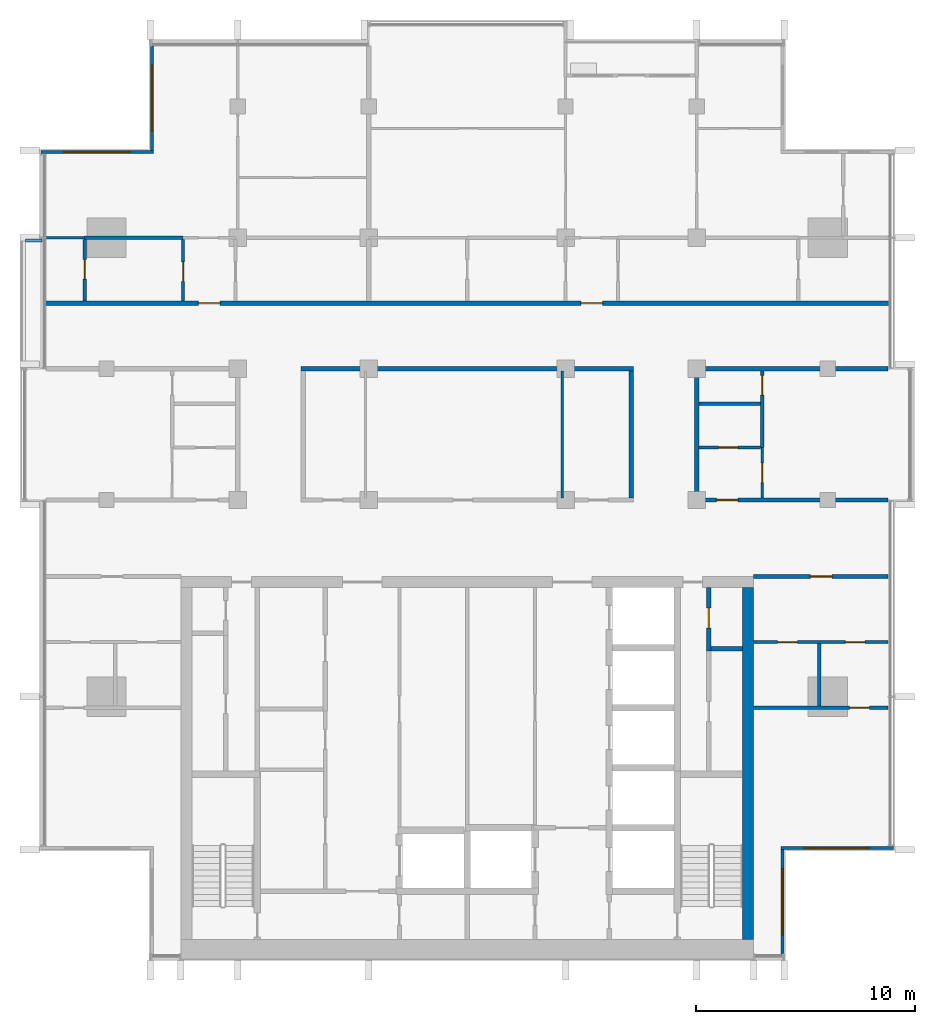
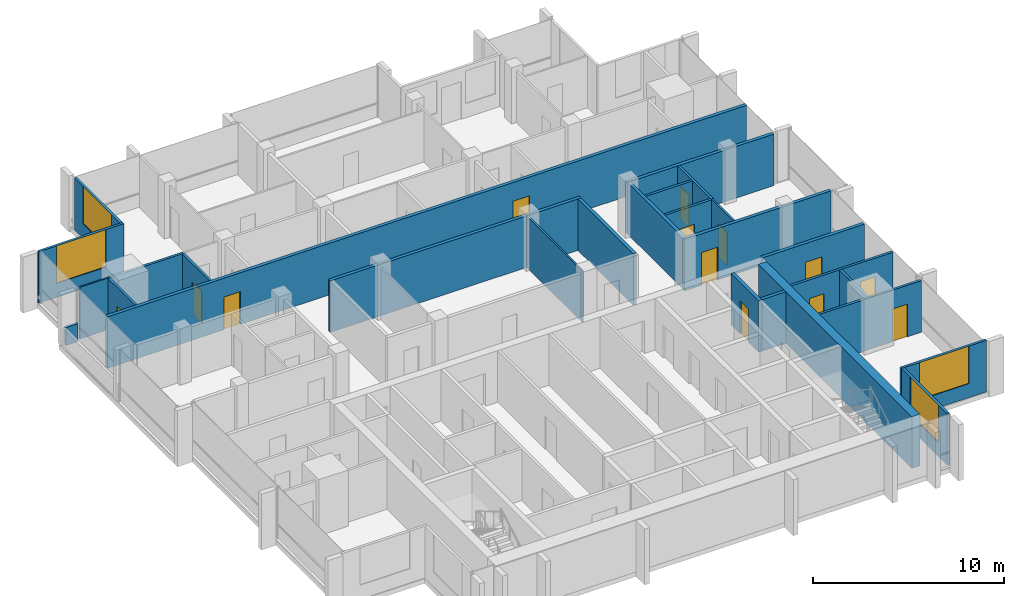
# One storey, part 9 of 16: 27 walls, 13 doors, 4 windows, 17 openings.
"""IFC4 building model written with IfcOpenShell, lengths in metres."""

from ifc_helpers import new_model, si_unit, direction, frame, frame_2d, origin, place, context, subcontext, project, spatial, rectangle, extrude, material, layer, layer_set, type_object, element, fill, save


model = new_model("IFC4")

# Units and contexts
model_context = context("Model", 3, precision=1e-05, world=origin(), true_north=direction((0.0, 1.0)))
body_context = subcontext(model_context, "Body", "Model", "MODEL_VIEW")
ifc_project = project(units=[si_unit("LENGTHUNIT", "METRE"), si_unit("AREAUNIT", "SQUARE_METRE"), si_unit("VOLUMEUNIT", "CUBIC_METRE"), si_unit("PLANEANGLEUNIT", "RADIAN"), si_unit("MASSUNIT", "GRAM", prefix="KILO")], contexts=[model_context])

# Site, building, storey
site_placement = place(None, origin())
site = spatial("IfcSite", under=ifc_project, at=site_placement, CompositionType="ELEMENT")
building_placement = place(site_placement, origin())
building = spatial("IfcBuilding", under=site, at=building_placement, Name="Finial Court Residences", CompositionType="ELEMENT")
storey_placement = place(building_placement, frame((0.0, 0.0, 284.300048828125)))
storey = spatial("IfcBuildingStorey", under=building, at=storey_placement, Name="L72", CompositionType="ELEMENT", Elevation=284.300048828125)

# Wall
ifc_material_1 = material(Name="Concrete C50/60", Category="concrete")
ifc_layer_1 = layer(ifc_material_1, 0.5)
ifc_layer_set_1 = layer_set([ifc_layer_1], Name="Core outer wall 500 Concrete C50/60")
wall_type_1 = type_object("IfcWallType", Name="Core outer wall 500 Concrete C50/60", PredefinedType="SHEAR", material=ifc_layer_set_1)
wall_1_placement = place(storey_placement, frame((12.85009765625, -24.60009765625, 0.0), z_axis=(0.0, 0.0, 1.0), x_axis=(0.0, 1.0, 0.0)))
element("IfcWall", 1, at=wall_1_placement, inside=storey, type_object=wall_type_1, Name="Core outer wall L72-04", PredefinedType="SHEAR", context=body_context, shape_type="SweptSolid", body=[
    extrude(rectangle(XDim=16.10009765625, YDim=0.5, at=frame_2d((8.050048828125, 0.0))), origin(), (0.0, 0.0, 1.0), 3.300048828125),
])

# Wall, opening, door
ifc_material_2 = material(Name="Gypsum board")
ifc_layer_2 = layer(ifc_material_2, 0.02490234375)
ifc_material_3 = material(Name="Acoustic mineral wool in double frame")
ifc_layer_3 = layer(ifc_material_3, 0.14990234375)
ifc_layer_4 = layer(ifc_material_2, 0.02490234375)
ifc_layer_set_2 = layer_set([ifc_layer_2, ifc_layer_3, ifc_layer_4], Name="Corridor wall 200, 1 hour")
wall_type_2 = type_object("IfcWallType", Name="Corridor wall 200, 1 hour", PredefinedType="PARTITIONING", material=ifc_layer_set_2)
wall_2_placement = place(storey_placement, frame((13.10009765625, -8.0, 0.0), z_axis=(0.0, 0.0, 1.0), x_axis=(1.0, 0.0, 0.0)))
wall_2 = element("IfcWall", 2, at=wall_2_placement, inside=storey, type_object=wall_type_2, Name="Partition L72-005", PredefinedType="PARTITIONING", context=body_context, shape_type="SweptSolid", body=[
    extrude(rectangle(XDim=6.162353515625, YDim=0.199951171875, at=frame_2d((3.0810546875, 0.0))), origin(), (0.0, 0.0, 1.0), 3.300048828125),
])
opening_1_placement = place(wall_2_placement, frame((2.60009765625, 0.0, 0.0)))
opening_1 = element("IfcOpeningElement", 3, at=opening_1_placement, cuts=wall_2, Name="Opening L72-D008", PredefinedType="OPENING", context=body_context, shape_type="SweptSolid", body=[
    extrude(rectangle(XDim=1.0, YDim=2.10009765625, at=frame_2d((0.5, 1.050048828125))), frame((0.0, 0.10986328125, 0.0), z_axis=(0.0, -1.0, 0.0), x_axis=(1.0, 0.0, 0.0)), (0.0, 0.0, 1.0), 0.219970703125),
])
ifc_material_4 = material(Name="Timber door leaf in hollow metal frame", Category="wood")
door_type_1 = type_object("IfcDoorType", Name="Fire door set 1000 x 2100, 30 minutes", OperationType="SINGLE_SWING_LEFT", PredefinedType="DOOR", material=ifc_material_4)
door_1_placement = place(opening_1_placement, origin())
door_1 = element("IfcDoor", 4, at=door_1_placement, inside=storey, type_object=door_type_1, Name="Door L72-D008", OperationType="SINGLE_SWING_LEFT", OverallHeight=2.10009765625, OverallWidth=1.0, PredefinedType="DOOR", context=body_context, shape_type="SweptSolid", body=[
    extrude(rectangle(XDim=1.0, YDim=2.10009765625, at=frame_2d((0.5, 1.050048828125))), frame((0.0, 0.02490234375, 0.0), z_axis=(0.0, -1.0, 0.0), x_axis=(1.0, 0.0, 0.0)), (0.0, 0.0, 1.0), 0.050048828125),
])
fill(opening_1, door_1)

wall_3_placement = place(storey_placement, frame((10.39990234375, -4.5, 0.0), z_axis=(0.0, 0.0, 1.0), x_axis=(1.0, 0.0, 0.0)))
wall_3 = element("IfcWall", 5, at=wall_3_placement, inside=storey, type_object=wall_type_2, Name="Partition L72-008", PredefinedType="PARTITIONING", context=body_context, shape_type="SweptSolid", body=[
    extrude(rectangle(XDim=8.862548828125, YDim=0.199951171875, at=frame_2d((4.43115234375, 0.0))), origin(), (0.0, 0.0, 1.0), 3.300048828125),
])
opening_2_placement = place(wall_3_placement, frame((1.0, 0.0, 0.0)))
opening_2 = element("IfcOpeningElement", 6, at=opening_2_placement, cuts=wall_3, Name="Opening L72-D013", PredefinedType="OPENING", context=body_context, shape_type="SweptSolid", body=[
    extrude(rectangle(XDim=1.0, YDim=2.10009765625, at=frame_2d((0.5, 1.050048828125))), frame((0.0, 0.10986328125, 0.0), z_axis=(0.0, -1.0, 0.0), x_axis=(1.0, 0.0, 0.0)), (0.0, 0.0, 1.0), 0.219970703125),
])
door_2_placement = place(opening_2_placement, origin())
door_2 = element("IfcDoor", 7, at=door_2_placement, inside=storey, type_object=door_type_1, Name="Door L72-D013", OperationType="SINGLE_SWING_RIGHT", OverallHeight=2.10009765625, OverallWidth=1.0, PredefinedType="DOOR", context=body_context, shape_type="SweptSolid", body=[
    extrude(rectangle(XDim=1.0, YDim=2.10009765625, at=frame_2d((0.5, 1.050048828125))), frame((0.0, 0.02490234375, 0.0), z_axis=(0.0, -1.0, 0.0), x_axis=(1.0, 0.0, 0.0)), (0.0, 0.0, 1.0), 0.050048828125),
])
fill(opening_2, door_2)

# Walls
wall_4_placement = place(storey_placement, frame((-7.60009765625, 1.5, 0.0), z_axis=(0.0, 0.0, 1.0), x_axis=(1.0, 0.0, 0.0)))
element("IfcWall", 8, at=wall_4_placement, inside=storey, type_object=wall_type_2, Name="Partition L72-014", PredefinedType="PARTITIONING", context=body_context, shape_type="SweptSolid", body=[
    extrude(rectangle(XDim=15.2001953125, YDim=0.199951171875, at=frame_2d((7.60009765625, 0.0))), origin(), (0.0, 0.0, 1.0), 3.300048828125),
])
wall_5_placement = place(storey_placement, frame((10.39990234375, 1.5, 0.0), z_axis=(0.0, 0.0, 1.0), x_axis=(1.0, 0.0, 0.0)))
element("IfcWall", 9, at=wall_5_placement, inside=storey, type_object=wall_type_2, Name="Partition L72-015", PredefinedType="PARTITIONING", context=body_context, shape_type="SweptSolid", body=[
    extrude(rectangle(XDim=8.862548828125, YDim=0.199951171875, at=frame_2d((4.43115234375, 0.0))), origin(), (0.0, 0.0, 1.0), 3.300048828125),
])

# Wall, openings, doors
wall_6_placement = place(storey_placement, frame((-19.35009765625, 4.5, 0.0), z_axis=(0.0, 0.0, 1.0), x_axis=(1.0, 0.0, 0.0)))
wall_6 = element("IfcWall", 10, at=wall_6_placement, inside=storey, type_object=wall_type_2, Name="Partition L72-016", PredefinedType="PARTITIONING", context=body_context, shape_type="SweptSolid", body=[
    extrude(rectangle(XDim=38.7001953125, YDim=0.199951171875, at=frame_2d((19.35009765625, 0.0))), origin(), (0.0, 0.0, 1.0), 3.300048828125),
])
opening_3_placement = place(wall_6_placement, frame((7.050048828125, 0.0, 0.0)))
opening_3 = element("IfcOpeningElement", 11, at=opening_3_placement, cuts=wall_6, Name="Opening L72-D016", PredefinedType="OPENING", context=body_context, shape_type="SweptSolid", body=[
    extrude(rectangle(XDim=1.0, YDim=2.10009765625, at=frame_2d((0.5, 1.050048828125))), frame((0.0, 0.10986328125, 0.0), z_axis=(0.0, -1.0, 0.0), x_axis=(1.0, 0.0, 0.0)), (0.0, 0.0, 1.0), 0.219970703125),
])
opening_4_placement = place(wall_6_placement, frame((24.550048828125, 0.0, 0.0)))
opening_4 = element("IfcOpeningElement", 12, at=opening_4_placement, cuts=wall_6, Name="Opening L72-D017", PredefinedType="OPENING", context=body_context, shape_type="SweptSolid", body=[
    extrude(rectangle(XDim=1.0, YDim=2.10009765625, at=frame_2d((0.5, 1.050048828125))), frame((0.0, 0.10986328125, 0.0), z_axis=(0.0, -1.0, 0.0), x_axis=(1.0, 0.0, 0.0)), (0.0, 0.0, 1.0), 0.219970703125),
])
door_3_placement = place(opening_3_placement, origin())
door_3 = element("IfcDoor", 13, at=door_3_placement, inside=storey, type_object=door_type_1, Name="Door L72-D016", OperationType="SINGLE_SWING_RIGHT", OverallHeight=2.10009765625, OverallWidth=1.0, PredefinedType="DOOR", context=body_context, shape_type="SweptSolid", body=[
    extrude(rectangle(XDim=1.0, YDim=2.10009765625, at=frame_2d((0.5, 1.050048828125))), frame((0.0, 0.02490234375, 0.0), z_axis=(0.0, -1.0, 0.0), x_axis=(1.0, 0.0, 0.0)), (0.0, 0.0, 1.0), 0.050048828125),
])
fill(opening_3, door_3)
door_4_placement = place(opening_4_placement, origin())
door_4 = element("IfcDoor", 14, at=door_4_placement, inside=storey, type_object=door_type_1, Name="Door L72-D017", OperationType="SINGLE_SWING_LEFT", OverallHeight=2.10009765625, OverallWidth=1.0, PredefinedType="DOOR", context=body_context, shape_type="SweptSolid", body=[
    extrude(rectangle(XDim=1.0, YDim=2.10009765625, at=frame_2d((0.5, 1.050048828125))), frame((0.0, 0.02490234375, 0.0), z_axis=(0.0, -1.0, 0.0), x_axis=(1.0, 0.0, 0.0)), (0.0, 0.0, 1.0), 0.050048828125),
])
fill(opening_4, door_4)

# Walls
for number, where, z_axis, x_axis, name in (
    (15, (7.5, -4.39990234375, 0.0), (0.0, 0.0, 1.0), (0.0, 1.0, 0.0), "Partition L72-047"),
    (16, (10.5, -4.39990234375, 0.0), (0.0, 0.0, 1.0), (0.0, 1.0, 0.0), "Partition L72-048"),
):
    element("IfcWall", number, at=place(storey_placement, frame(where, z_axis=z_axis, x_axis=x_axis)), inside=storey, type_object=wall_type_2, Name=name, PredefinedType="PARTITIONING", context=body_context, shape_type="SweptSolid", body=[
        extrude(rectangle(XDim=5.7998046875, YDim=0.199951171875, at=frame_2d((2.89990234375, 0.0))), origin(), (0.0, 0.0, 1.0), 3.300048828125),
    ])
ifc_layer_5 = layer(ifc_material_2, 0.012451171875)
ifc_material_5 = material(Name="Mineral wool in light-gauge frame")
ifc_layer_6 = layer(ifc_material_5, 0.074951171875)
ifc_layer_7 = layer(ifc_material_2, 0.012451171875)
ifc_layer_set_3 = layer_set([ifc_layer_5, ifc_layer_6, ifc_layer_7], Name="Gypsum board partition 100")
wall_type_3 = type_object("IfcWallType", Name="Gypsum board partition 100", PredefinedType="PARTITIONING", material=ifc_layer_set_3)
wall_7_placement = place(storey_placement, frame((-19.262451171875, 7.5, 0.0), z_axis=(0.0, 0.0, 1.0), x_axis=(1.0, 0.0, 0.0)))
element("IfcWall", 17, at=wall_7_placement, inside=storey, type_object=wall_type_3, Name="Partition L72-017", PredefinedType="PARTITIONING", context=body_context, shape_type="SweptSolid", body=[
    extrude(rectangle(XDim=1.762451171875, YDim=0.10009765625, at=frame_2d((0.88134765625, 0.0))), origin(), (0.0, 0.0, 1.0), 3.300048828125),
])
wall_8_placement = place(storey_placement, frame((4.35009765625, -4.39990234375, 0.0), z_axis=(0.0, 0.0, 1.0), x_axis=(0.0, 1.0, 0.0)))
element("IfcWall", 18, at=wall_8_placement, inside=storey, type_object=wall_type_3, Name="Partition L72-043", PredefinedType="PARTITIONING", context=body_context, shape_type="SweptSolid", body=[
    extrude(rectangle(XDim=5.7998046875, YDim=0.10009765625, at=frame_2d((2.89990234375, 0.0))), origin(), (0.0, 0.0, 1.0), 3.300048828125),
])

# Wall, opening, door
wall_9_placement = place(storey_placement, frame((13.5, -4.39990234375, 0.0), z_axis=(0.0, 0.0, 1.0), x_axis=(0.0, 1.0, 0.0)))
wall_9 = element("IfcWall", 19, at=wall_9_placement, inside=storey, type_object=wall_type_3, Name="Partition L72-050", PredefinedType="PARTITIONING", context=body_context, shape_type="SweptSolid", body=[
    extrude(rectangle(XDim=2.2998046875, YDim=0.10009765625, at=frame_2d((1.14990234375, 0.0))), origin(), (0.0, 0.0, 1.0), 3.300048828125),
])
opening_5_placement = place(wall_9_placement, frame((0.699951171875, 0.0, 0.0)))
opening_5 = element("IfcOpeningElement", 20, at=opening_5_placement, cuts=wall_9, Name="Opening L72-D034", PredefinedType="OPENING", context=body_context, shape_type="SweptSolid", body=[
    extrude(rectangle(XDim=0.89990234375, YDim=2.10009765625, at=frame_2d((0.449951171875, 1.050048828125))), frame((0.0, 0.06005859375, 0.0), z_axis=(0.0, -1.0, 0.0), x_axis=(1.0, 0.0, 0.0)), (0.0, 0.0, 1.0), 0.1201171875),
])
ifc_material_6 = material(Name="Timber door leaf in timber frame", Category="wood")
door_type_2 = type_object("IfcDoorType", Name="Door set 900 x 2100", OperationType="SINGLE_SWING_LEFT", PredefinedType="DOOR", material=ifc_material_6)
door_5_placement = place(opening_5_placement, origin())
door_5 = element("IfcDoor", 21, at=door_5_placement, inside=storey, type_object=door_type_2, Name="Door L72-D034", OperationType="SINGLE_SWING_LEFT", OverallHeight=2.10009765625, OverallWidth=0.89990234375, PredefinedType="DOOR", context=body_context, shape_type="SweptSolid", body=[
    extrude(rectangle(XDim=0.89990234375, YDim=2.10009765625, at=frame_2d((0.449951171875, 1.050048828125))), frame((0.0, 0.02490234375, 0.0), z_axis=(0.0, -1.0, 0.0), x_axis=(1.0, 0.0, 0.0)), (0.0, 0.0, 1.0), 0.050048828125),
])
fill(opening_5, door_5)

ifc_material_7 = material(Name="Moisture-resistant gypsum board")
ifc_layer_8 = layer(ifc_material_7, 0.012451171875)
ifc_layer_9 = layer(ifc_material_5, 0.125)
ifc_layer_10 = layer(ifc_material_7, 0.012451171875)
ifc_layer_set_4 = layer_set([ifc_layer_8, ifc_layer_9, ifc_layer_10], Name="Gypsum board wet-area partition 150")
wall_type_4 = type_object("IfcWallType", Name="Gypsum board wet-area partition 150", PredefinedType="PARTITIONING", material=ifc_layer_set_4)
wall_10_placement = place(storey_placement, frame((13.10009765625, -14.0, 0.0), z_axis=(0.0, 0.0, 1.0), x_axis=(1.0, 0.0, 0.0)))
wall_10 = element("IfcWall", 22, at=wall_10_placement, inside=storey, type_object=wall_type_4, Name="Partition L72-001", PredefinedType="PARTITIONING", context=body_context, shape_type="SweptSolid", body=[
    extrude(rectangle(XDim=6.162353515625, YDim=0.14990234375, at=frame_2d((3.0810546875, 0.0))), origin(), (0.0, 0.0, 1.0), 3.300048828125),
])
opening_6_placement = place(wall_10_placement, frame((4.39990234375, 0.0, 0.0)))
opening_6 = element("IfcOpeningElement", 23, at=opening_6_placement, cuts=wall_10, Name="Opening L72-D002", PredefinedType="OPENING", context=body_context, shape_type="SweptSolid", body=[
    extrude(rectangle(XDim=0.89990234375, YDim=2.10009765625, at=frame_2d((0.449951171875, 1.050048828125))), frame((0.0, 0.0849609375, 0.0), z_axis=(0.0, -1.0, 0.0), x_axis=(1.0, 0.0, 0.0)), (0.0, 0.0, 1.0), 0.169921875),
])
door_6_placement = place(opening_6_placement, origin())
door_6 = element("IfcDoor", 24, at=door_6_placement, inside=storey, type_object=door_type_2, Name="Door L72-D002", OperationType="SINGLE_SWING_RIGHT", OverallHeight=2.10009765625, OverallWidth=0.89990234375, PredefinedType="DOOR", context=body_context, shape_type="SweptSolid", body=[
    extrude(rectangle(XDim=0.89990234375, YDim=2.10009765625, at=frame_2d((0.449951171875, 1.050048828125))), frame((0.0, 0.02490234375, 0.0), z_axis=(0.0, -1.0, 0.0), x_axis=(1.0, 0.0, 0.0)), (0.0, 0.0, 1.0), 0.050048828125),
])
fill(opening_6, door_6)

# Wall, openings, doors
wall_11_placement = place(storey_placement, frame((13.10009765625, -11.0, 0.0), z_axis=(0.0, 0.0, 1.0), x_axis=(1.0, 0.0, 0.0)))
wall_11 = element("IfcWall", 25, at=wall_11_placement, inside=storey, type_object=wall_type_4, Name="Partition L72-003", PredefinedType="PARTITIONING", context=body_context, shape_type="SweptSolid", body=[
    extrude(rectangle(XDim=6.162353515625, YDim=0.14990234375, at=frame_2d((3.0810546875, 0.0))), origin(), (0.0, 0.0, 1.0), 3.300048828125),
])
opening_7_placement = place(wall_11_placement, frame((1.10009765625, 0.0, 0.0)))
opening_7 = element("IfcOpeningElement", 26, at=opening_7_placement, cuts=wall_11, Name="Opening L72-D005", PredefinedType="OPENING", context=body_context, shape_type="SweptSolid", body=[
    extrude(rectangle(XDim=0.89990234375, YDim=2.10009765625, at=frame_2d((0.449951171875, 1.050048828125))), frame((0.0, 0.0849609375, 0.0), z_axis=(0.0, -1.0, 0.0), x_axis=(1.0, 0.0, 0.0)), (0.0, 0.0, 1.0), 0.169921875),
])
opening_8_placement = place(wall_11_placement, frame((4.199951171875, 0.0, 0.0)))
opening_8 = element("IfcOpeningElement", 27, at=opening_8_placement, cuts=wall_11, Name="Opening L72-D006", PredefinedType="OPENING", context=body_context, shape_type="SweptSolid", body=[
    extrude(rectangle(XDim=0.89990234375, YDim=2.10009765625, at=frame_2d((0.449951171875, 1.050048828125))), frame((0.0, 0.0849609375, 0.0), z_axis=(0.0, -1.0, 0.0), x_axis=(1.0, 0.0, 0.0)), (0.0, 0.0, 1.0), 0.169921875),
])
door_7_placement = place(opening_7_placement, origin())
door_7 = element("IfcDoor", 28, at=door_7_placement, inside=storey, type_object=door_type_2, Name="Door L72-D005", OperationType="SINGLE_SWING_LEFT", OverallHeight=2.10009765625, OverallWidth=0.89990234375, PredefinedType="DOOR", context=body_context, shape_type="SweptSolid", body=[
    extrude(rectangle(XDim=0.89990234375, YDim=2.10009765625, at=frame_2d((0.449951171875, 1.050048828125))), frame((0.0, 0.02490234375, 0.0), z_axis=(0.0, -1.0, 0.0), x_axis=(1.0, 0.0, 0.0)), (0.0, 0.0, 1.0), 0.050048828125),
])
fill(opening_7, door_7)
door_8_placement = place(opening_8_placement, origin())
door_8 = element("IfcDoor", 29, at=door_8_placement, inside=storey, type_object=door_type_2, Name="Door L72-D006", OperationType="SINGLE_SWING_RIGHT", OverallHeight=2.10009765625, OverallWidth=0.89990234375, PredefinedType="DOOR", context=body_context, shape_type="SweptSolid", body=[
    extrude(rectangle(XDim=0.89990234375, YDim=2.10009765625, at=frame_2d((0.449951171875, 1.050048828125))), frame((0.0, 0.02490234375, 0.0), z_axis=(0.0, -1.0, 0.0), x_axis=(1.0, 0.0, 0.0)), (0.0, 0.0, 1.0), 0.050048828125),
])
fill(opening_8, door_8)

# Wall, opening, door
wall_12_placement = place(storey_placement, frame((10.60009765625, -2.10009765625, 0.0), z_axis=(0.0, 0.0, 1.0), x_axis=(1.0, 0.0, 0.0)))
wall_12 = element("IfcWall", 30, at=wall_12_placement, inside=storey, type_object=wall_type_4, Name="Partition L72-010", PredefinedType="PARTITIONING", context=body_context, shape_type="SweptSolid", body=[
    extrude(rectangle(XDim=2.824951171875, YDim=0.14990234375, at=frame_2d((1.41259765625, 0.0))), origin(), (0.0, 0.0, 1.0), 3.300048828125),
])
opening_9_placement = place(wall_12_placement, frame((0.89990234375, 0.0, 0.0)))
opening_9 = element("IfcOpeningElement", 31, at=opening_9_placement, cuts=wall_12, Name="Opening L72-D015", PredefinedType="OPENING", context=body_context, shape_type="SweptSolid", body=[
    extrude(rectangle(XDim=0.89990234375, YDim=2.10009765625, at=frame_2d((0.449951171875, 1.050048828125))), frame((0.0, 0.0849609375, 0.0), z_axis=(0.0, -1.0, 0.0), x_axis=(1.0, 0.0, 0.0)), (0.0, 0.0, 1.0), 0.169921875),
])
door_9_placement = place(opening_9_placement, origin())
door_9 = element("IfcDoor", 32, at=door_9_placement, inside=storey, type_object=door_type_2, Name="Door L72-D015", OperationType="SINGLE_SWING_LEFT", OverallHeight=2.10009765625, OverallWidth=0.89990234375, PredefinedType="DOOR", context=body_context, shape_type="SweptSolid", body=[
    extrude(rectangle(XDim=0.89990234375, YDim=2.10009765625, at=frame_2d((0.449951171875, 1.050048828125))), frame((0.0, 0.02490234375, 0.0), z_axis=(0.0, -1.0, 0.0), x_axis=(1.0, 0.0, 0.0)), (0.0, 0.0, 1.0), 0.050048828125),
])
fill(opening_9, door_9)

# Walls
wall_13_placement = place(storey_placement, frame((10.60009765625, -0.10009765625, 0.0), z_axis=(0.0, 0.0, 1.0), x_axis=(1.0, 0.0, 0.0)))
element("IfcWall", 33, at=wall_13_placement, inside=storey, type_object=wall_type_4, Name="Partition L72-012", PredefinedType="PARTITIONING", context=body_context, shape_type="SweptSolid", body=[
    extrude(rectangle(XDim=2.824951171875, YDim=0.14990234375, at=frame_2d((1.41259765625, 0.0))), origin(), (0.0, 0.0, 1.0), 3.300048828125),
])
wall_14_placement = place(storey_placement, frame((-17.5, 7.5, 0.0), z_axis=(0.0, 0.0, 1.0), x_axis=(1.0, 0.0, 0.0)))
element("IfcWall", 34, at=wall_14_placement, inside=storey, type_object=wall_type_4, Name="Partition L72-022", PredefinedType="PARTITIONING", context=body_context, shape_type="SweptSolid", body=[
    extrude(rectangle(XDim=4.5, YDim=0.14990234375, at=frame_2d((2.25, 0.0))), origin(), (0.0, 0.0, 1.0), 3.300048828125),
])

# Wall, opening, door
wall_15_placement = place(storey_placement, frame((-17.5, 4.60009765625, 0.0), z_axis=(0.0, 0.0, 1.0), x_axis=(0.0, 1.0, 0.0)))
wall_15 = element("IfcWall", 35, at=wall_15_placement, inside=storey, type_object=wall_type_4, Name="Partition L72-030", PredefinedType="PARTITIONING", context=body_context, shape_type="SweptSolid", body=[
    extrude(rectangle(XDim=2.824951171875, YDim=0.14990234375, at=frame_2d((1.41259765625, 0.0))), origin(), (0.0, 0.0, 1.0), 3.300048828125),
])
opening_10_placement = place(wall_15_placement, frame((1.0, 0.0, 0.0)))
opening_10 = element("IfcOpeningElement", 36, at=opening_10_placement, cuts=wall_15, Name="Opening L72-D023", PredefinedType="OPENING", context=body_context, shape_type="SweptSolid", body=[
    extrude(rectangle(XDim=0.89990234375, YDim=2.10009765625, at=frame_2d((0.449951171875, 1.050048828125))), frame((0.0, 0.0849609375, 0.0), z_axis=(0.0, -1.0, 0.0), x_axis=(1.0, 0.0, 0.0)), (0.0, 0.0, 1.0), 0.169921875),
])
door_10_placement = place(opening_10_placement, origin())
door_10 = element("IfcDoor", 37, at=door_10_placement, inside=storey, type_object=door_type_2, Name="Door L72-D023", OperationType="SINGLE_SWING_LEFT", OverallHeight=2.10009765625, OverallWidth=0.89990234375, PredefinedType="DOOR", context=body_context, shape_type="SweptSolid", body=[
    extrude(rectangle(XDim=0.89990234375, YDim=2.10009765625, at=frame_2d((0.449951171875, 1.050048828125))), frame((0.0, 0.02490234375, 0.0), z_axis=(0.0, -1.0, 0.0), x_axis=(1.0, 0.0, 0.0)), (0.0, 0.0, 1.0), 0.050048828125),
])
fill(opening_10, door_10)

wall_16_placement = place(storey_placement, frame((-13.0, 4.60009765625, 0.0), z_axis=(0.0, 0.0, 1.0), x_axis=(0.0, 1.0, 0.0)))
wall_16 = element("IfcWall", 38, at=wall_16_placement, inside=storey, type_object=wall_type_4, Name="Partition L72-034", PredefinedType="PARTITIONING", context=body_context, shape_type="SweptSolid", body=[
    extrude(rectangle(XDim=2.824951171875, YDim=0.14990234375, at=frame_2d((1.41259765625, 0.0))), origin(), (0.0, 0.0, 1.0), 3.300048828125),
])
opening_11_placement = place(wall_16_placement, frame((0.89990234375, 0.0, 0.0)))
opening_11 = element("IfcOpeningElement", 39, at=opening_11_placement, cuts=wall_16, Name="Opening L72-D026", PredefinedType="OPENING", context=body_context, shape_type="SweptSolid", body=[
    extrude(rectangle(XDim=0.89990234375, YDim=2.10009765625, at=frame_2d((0.449951171875, 1.050048828125))), frame((0.0, 0.0849609375, 0.0), z_axis=(0.0, -1.0, 0.0), x_axis=(1.0, 0.0, 0.0)), (0.0, 0.0, 1.0), 0.169921875),
])
door_11_placement = place(opening_11_placement, origin())
door_11 = element("IfcDoor", 40, at=door_11_placement, inside=storey, type_object=door_type_2, Name="Door L72-D026", OperationType="SINGLE_SWING_LEFT", OverallHeight=2.10009765625, OverallWidth=0.89990234375, PredefinedType="DOOR", context=body_context, shape_type="SweptSolid", body=[
    extrude(rectangle(XDim=0.89990234375, YDim=2.10009765625, at=frame_2d((0.449951171875, 1.050048828125))), frame((0.0, 0.02490234375, 0.0), z_axis=(0.0, -1.0, 0.0), x_axis=(1.0, 0.0, 0.0)), (0.0, 0.0, 1.0), 0.050048828125),
])
fill(opening_11, door_11)

wall_17_placement = place(storey_placement, frame((13.5, -2.10009765625, 0.0), z_axis=(0.0, 0.0, 1.0), x_axis=(0.0, 1.0, 0.0)))
wall_17 = element("IfcWall", 41, at=wall_17_placement, inside=storey, type_object=wall_type_4, Name="Partition L72-051", PredefinedType="PARTITIONING", context=body_context, shape_type="SweptSolid", body=[
    extrude(rectangle(XDim=3.5, YDim=0.14990234375, at=frame_2d((1.75, 0.0))), origin(), (0.0, 0.0, 1.0), 3.300048828125),
])
opening_12_placement = place(wall_17_placement, frame((2.39990234375, 0.0, 0.0)))
opening_12 = element("IfcOpeningElement", 42, at=opening_12_placement, cuts=wall_17, Name="Opening L72-D035", PredefinedType="OPENING", context=body_context, shape_type="SweptSolid", body=[
    extrude(rectangle(XDim=0.89990234375, YDim=2.10009765625, at=frame_2d((0.449951171875, 1.050048828125))), frame((0.0, 0.0849609375, 0.0), z_axis=(0.0, -1.0, 0.0), x_axis=(1.0, 0.0, 0.0)), (0.0, 0.0, 1.0), 0.169921875),
])
door_12_placement = place(opening_12_placement, origin())
door_12 = element("IfcDoor", 43, at=door_12_placement, inside=storey, type_object=door_type_2, Name="Door L72-D035", OperationType="SINGLE_SWING_LEFT", OverallHeight=2.10009765625, OverallWidth=0.89990234375, PredefinedType="DOOR", context=body_context, shape_type="SweptSolid", body=[
    extrude(rectangle(XDim=0.89990234375, YDim=2.10009765625, at=frame_2d((0.449951171875, 1.050048828125))), frame((0.0, 0.02490234375, 0.0), z_axis=(0.0, -1.0, 0.0), x_axis=(1.0, 0.0, 0.0)), (0.0, 0.0, 1.0), 0.050048828125),
])
fill(opening_12, door_12)

# Walls
wall_18_placement = place(storey_placement, frame((16.10009765625, -13.925048828125, 0.0), z_axis=(0.0, 0.0, 1.0), x_axis=(0.0, 1.0, 0.0)))
element("IfcWall", 44, at=wall_18_placement, inside=storey, type_object=wall_type_4, Name="Partition L72-053", PredefinedType="PARTITIONING", context=body_context, shape_type="SweptSolid", body=[
    extrude(rectangle(XDim=2.85009765625, YDim=0.14990234375, at=frame_2d((1.425048828125, 0.0))), origin(), (0.0, 0.0, 1.0), 3.300048828125),
])
ifc_material_8 = material(Name="Concrete C35/45", Category="concrete")
ifc_layer_11 = layer(ifc_material_8, 0.14990234375)
ifc_layer_set_5 = layer_set([ifc_layer_11], Name="Ledge parapet, Concrete C35/45 150")
wall_type_5 = type_object("IfcWallType", Name="Ledge parapet, Concrete C35/45 150", PredefinedType="PARAPET", material=ifc_layer_set_5)
wall_19_placement = place(storey_placement, frame((-20.199951171875, 7.375, 0.0), z_axis=(0.0, 0.0, 1.0), x_axis=(1.0, 0.0, 0.0)))
element("IfcWall", 45, at=wall_19_placement, inside=storey, type_object=wall_type_5, Name="E-L72-LED1-P2", PredefinedType="PARAPET", context=body_context, shape_type="SweptSolid", body=[
    extrude(rectangle(XDim=0.75244140625, YDim=0.14990234375, at=frame_2d((0.376220703125, 0.0))), origin(), (0.0, 0.0, 1.0), 1.14990234375),
])

# Wall, opening, window
ifc_material_9 = material(Name="Natural limestone", Category="masonry")
ifc_layer_12 = layer(ifc_material_9, 0.14990234375)
ifc_layer_set_6 = layer_set([ifc_layer_12], Name="Limestone clad wall 150")
wall_type_6 = type_object("IfcWallType", Name="Limestone clad wall 150", PredefinedType="SOLIDWALL", material=ifc_layer_set_6)
wall_20_placement = place(storey_placement, frame((14.425048828125, -20.5, 0.0), z_axis=(0.0, 0.0, 1.0), x_axis=(0.0, -1.0, 0.0)))
wall_20 = element("IfcWall", 46, at=wall_20_placement, inside=storey, type_object=wall_type_6, Name="E-L72-NWE14", PredefinedType="SOLIDWALL", context=body_context, shape_type="SweptSolid", body=[
    extrude(rectangle(XDim=4.762451171875, YDim=0.14990234375, at=frame_2d((2.38134765625, 0.0))), origin(), (0.0, 0.0, 1.0), 3.300048828125),
])
opening_13_placement = place(wall_20_placement, frame((0.88134765625, 0.0, 0.89990234375)))
opening_13 = element("IfcOpeningElement", 47, at=opening_13_placement, cuts=wall_20, Name="Opening WE72-03", PredefinedType="OPENING", context=body_context, shape_type="SweptSolid", body=[
    extrude(rectangle(XDim=3.0, YDim=2.39990234375, at=frame_2d((1.5, 1.199951171875))), frame((0.0, 0.0849609375, 0.0), z_axis=(0.0, -1.0, 0.0), x_axis=(1.0, 0.0, 0.0)), (0.0, 0.0, 1.0), 0.169921875),
])
ifc_material_10 = material(Name="Clear low-e glass", Category="glass")
window_type = type_object("IfcWindowType", Name="Corner window 3000 x 2400", PartitioningType="SINGLE_PANEL", PredefinedType="WINDOW", material=ifc_material_10)
window_1_placement = place(opening_13_placement, origin())
window_1 = element("IfcWindow", 48, at=window_1_placement, inside=storey, type_object=window_type, Name="E-L72-NWE14-W1", OverallHeight=2.39990234375, OverallWidth=3.0, PartitioningType="SINGLE_PANEL", PredefinedType="WINDOW", context=body_context, shape_type="SweptSolid", body=[
    extrude(rectangle(XDim=3.0, YDim=2.39990234375, at=frame_2d((1.5, 1.199951171875))), frame((0.0, 0.030029296875, 0.0), z_axis=(0.0, -1.0, 0.0), x_axis=(1.0, 0.0, 0.0)), (0.0, 0.0, 1.0), 0.06005859375),
])
fill(opening_13, window_1)

wall_21_placement = place(storey_placement, frame((19.5, -20.425048828125, 0.0), z_axis=(0.0, 0.0, 1.0), x_axis=(-1.0, 0.0, 0.0)))
wall_21 = element("IfcWall", 49, at=wall_21_placement, inside=storey, type_object=wall_type_6, Name="E-L72-NWS15", PredefinedType="SOLIDWALL", context=body_context, shape_type="SweptSolid", body=[
    extrude(rectangle(XDim=5.14990234375, YDim=0.14990234375, at=frame_2d((2.574951171875, 0.0))), origin(), (0.0, 0.0, 1.0), 3.300048828125),
])
opening_14_placement = place(wall_21_placement, frame((1.074951171875, 0.0, 0.89990234375)))
opening_14 = element("IfcOpeningElement", 50, at=opening_14_placement, cuts=wall_21, Name="Opening WE72-04", PredefinedType="OPENING", context=body_context, shape_type="SweptSolid", body=[
    extrude(rectangle(XDim=3.0, YDim=2.39990234375, at=frame_2d((1.5, 1.199951171875))), frame((0.0, 0.0849609375, 0.0), z_axis=(0.0, -1.0, 0.0), x_axis=(1.0, 0.0, 0.0)), (0.0, 0.0, 1.0), 0.169921875),
])
window_2_placement = place(opening_14_placement, origin())
window_2 = element("IfcWindow", 51, at=window_2_placement, inside=storey, type_object=window_type, Name="E-L72-NWS15-W1", OverallHeight=2.39990234375, OverallWidth=3.0, PartitioningType="SINGLE_PANEL", PredefinedType="WINDOW", context=body_context, shape_type="SweptSolid", body=[
    extrude(rectangle(XDim=3.0, YDim=2.39990234375, at=frame_2d((1.5, 1.199951171875))), frame((0.0, 0.030029296875, 0.0), z_axis=(0.0, -1.0, 0.0), x_axis=(1.0, 0.0, 0.0)), (0.0, 0.0, 1.0), 0.06005859375),
])
fill(opening_14, window_2)

wall_22_placement = place(storey_placement, frame((-14.425048828125, 11.5, 0.0), z_axis=(0.0, 0.0, 1.0), x_axis=(0.0, 1.0, 0.0)))
wall_22 = element("IfcWall", 52, at=wall_22_placement, inside=storey, type_object=wall_type_6, Name="E-L72-NWW16", PredefinedType="SOLIDWALL", context=body_context, shape_type="SweptSolid", body=[
    extrude(rectangle(XDim=4.762451171875, YDim=0.14990234375, at=frame_2d((2.38134765625, 0.0))), origin(), (0.0, 0.0, 1.0), 3.300048828125),
])
opening_15_placement = place(wall_22_placement, frame((0.881103515625, 0.0, 0.89990234375)))
opening_15 = element("IfcOpeningElement", 53, at=opening_15_placement, cuts=wall_22, Name="Opening WE72-05", PredefinedType="OPENING", context=body_context, shape_type="SweptSolid", body=[
    extrude(rectangle(XDim=3.0, YDim=2.39990234375, at=frame_2d((1.5, 1.199951171875))), frame((0.0, 0.0849609375, 0.0), z_axis=(0.0, -1.0, 0.0), x_axis=(1.0, 0.0, 0.0)), (0.0, 0.0, 1.0), 0.169921875),
])
window_3_placement = place(opening_15_placement, origin())
window_3 = element("IfcWindow", 54, at=window_3_placement, inside=storey, type_object=window_type, Name="E-L72-NWW16-W1", OverallHeight=2.39990234375, OverallWidth=3.0, PartitioningType="SINGLE_PANEL", PredefinedType="WINDOW", context=body_context, shape_type="SweptSolid", body=[
    extrude(rectangle(XDim=3.0, YDim=2.39990234375, at=frame_2d((1.5, 1.199951171875))), frame((0.0, 0.030029296875, 0.0), z_axis=(0.0, -1.0, 0.0), x_axis=(1.0, 0.0, 0.0)), (0.0, 0.0, 1.0), 0.06005859375),
])
fill(opening_15, window_3)

wall_23_placement = place(storey_placement, frame((-19.5, 11.425048828125, 0.0), z_axis=(0.0, 0.0, 1.0), x_axis=(1.0, 0.0, 0.0)))
wall_23 = element("IfcWall", 55, at=wall_23_placement, inside=storey, type_object=wall_type_6, Name="E-L72-NWN17", PredefinedType="SOLIDWALL", context=body_context, shape_type="SweptSolid", body=[
    extrude(rectangle(XDim=5.14990234375, YDim=0.14990234375, at=frame_2d((2.574951171875, 0.0))), origin(), (0.0, 0.0, 1.0), 3.300048828125),
])
opening_16_placement = place(wall_23_placement, frame((1.074951171875, 0.0, 0.89990234375)))
opening_16 = element("IfcOpeningElement", 56, at=opening_16_placement, cuts=wall_23, Name="Opening WE72-06", PredefinedType="OPENING", context=body_context, shape_type="SweptSolid", body=[
    extrude(rectangle(XDim=3.0, YDim=2.39990234375, at=frame_2d((1.5, 1.199951171875))), frame((0.0, 0.0849609375, 0.0), z_axis=(0.0, -1.0, 0.0), x_axis=(1.0, 0.0, 0.0)), (0.0, 0.0, 1.0), 0.169921875),
])
window_4_placement = place(opening_16_placement, origin())
window_4 = element("IfcWindow", 57, at=window_4_placement, inside=storey, type_object=window_type, Name="E-L72-NWN17-W1", OverallHeight=2.39990234375, OverallWidth=3.0, PartitioningType="SINGLE_PANEL", PredefinedType="WINDOW", context=body_context, shape_type="SweptSolid", body=[
    extrude(rectangle(XDim=3.0, YDim=2.39990234375, at=frame_2d((1.5, 1.199951171875))), frame((0.0, 0.030029296875, 0.0), z_axis=(0.0, -1.0, 0.0), x_axis=(1.0, 0.0, 0.0)), (0.0, 0.0, 1.0), 0.06005859375),
])
fill(opening_16, window_4)

# Wall
ifc_material_11 = material(Name="Fire-rated gypsum board partition")
ifc_layer_13 = layer(ifc_material_11, 0.199951171875)
ifc_layer_set_7 = layer_set([ifc_layer_13], Name="Riser room wall 200 EI 120")
wall_type_7 = type_object("IfcWallType", Name="Riser room wall 200 EI 120", PredefinedType="PARTITIONING", material=ifc_layer_set_7)
wall_24_placement = place(storey_placement, frame((11.14990234375, -11.300048828125, 0.0), z_axis=(0.0, 0.0, 1.0), x_axis=(1.0, 0.0, 0.0)))
element("IfcWall", 58, at=wall_24_placement, inside=storey, type_object=wall_type_7, Name="Core partition L72-14", PredefinedType="PARTITIONING", context=body_context, shape_type="SweptSolid", body=[
    extrude(rectangle(XDim=1.4501953125, YDim=0.199951171875, at=frame_2d((0.72509765625, 0.0))), origin(), (0.0, 0.0, 1.0), 3.300048828125),
])

# Wall, opening, door
wall_25_placement = place(storey_placement, frame((11.050048828125, -8.5, 0.0), z_axis=(0.0, 0.0, 1.0), x_axis=(0.0, -1.0, 0.0)))
wall_25 = element("IfcWall", 59, at=wall_25_placement, inside=storey, type_object=wall_type_7, Name="Core partition L72-38", PredefinedType="PARTITIONING", context=body_context, shape_type="SweptSolid", body=[
    extrude(rectangle(XDim=2.89990234375, YDim=0.199951171875, at=frame_2d((1.449951171875, 0.0))), origin(), (0.0, 0.0, 1.0), 3.300048828125),
])
opening_17_placement = place(wall_25_placement, frame((0.949951171875, 0.0, 0.0)))
opening_17 = element("IfcOpeningElement", 60, at=opening_17_placement, cuts=wall_25, Name="Opening L72-C08", PredefinedType="OPENING", context=body_context, shape_type="SweptSolid", body=[
    extrude(rectangle(XDim=0.89990234375, YDim=2.10009765625, at=frame_2d((0.449951171875, 1.050048828125))), frame((0.0, 0.10986328125, 0.0), z_axis=(0.0, -1.0, 0.0), x_axis=(1.0, 0.0, 0.0)), (0.0, 0.0, 1.0), 0.219970703125),
])
ifc_material_12 = material(Name="Steel fire door", Category="steel")
door_type_3 = type_object("IfcDoorType", Name="Riser room door 900 x 2100 EI 90", OperationType="NOTDEFINED", PredefinedType="DOOR", material=ifc_material_12)
door_13_placement = place(opening_17_placement, origin())
door_13 = element("IfcDoor", 61, at=door_13_placement, inside=storey, type_object=door_type_3, Name="Riser room door L72-C08", OperationType="SINGLE_SWING_RIGHT", OverallHeight=2.10009765625, OverallWidth=0.89990234375, PredefinedType="DOOR", context=body_context, shape_type="SweptSolid", body=[
    extrude(rectangle(XDim=0.89990234375, YDim=2.10009765625, at=frame_2d((0.449951171875, 1.050048828125))), frame((0.0, 0.02490234375, 0.0), z_axis=(0.0, -1.0, 0.0), x_axis=(1.0, 0.0, 0.0)), (0.0, 0.0, 1.0), 0.050048828125),
])
fill(opening_17, door_13)

save(model, "model.ifc")
